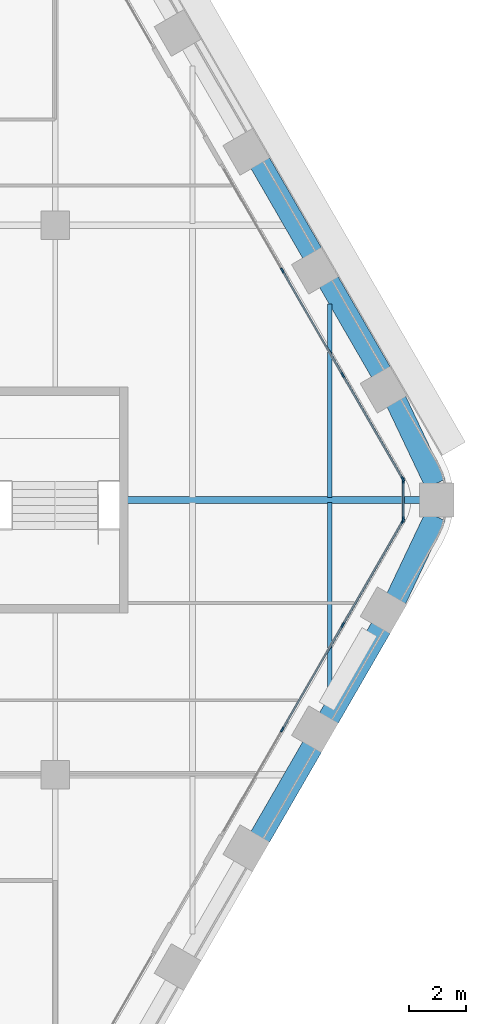
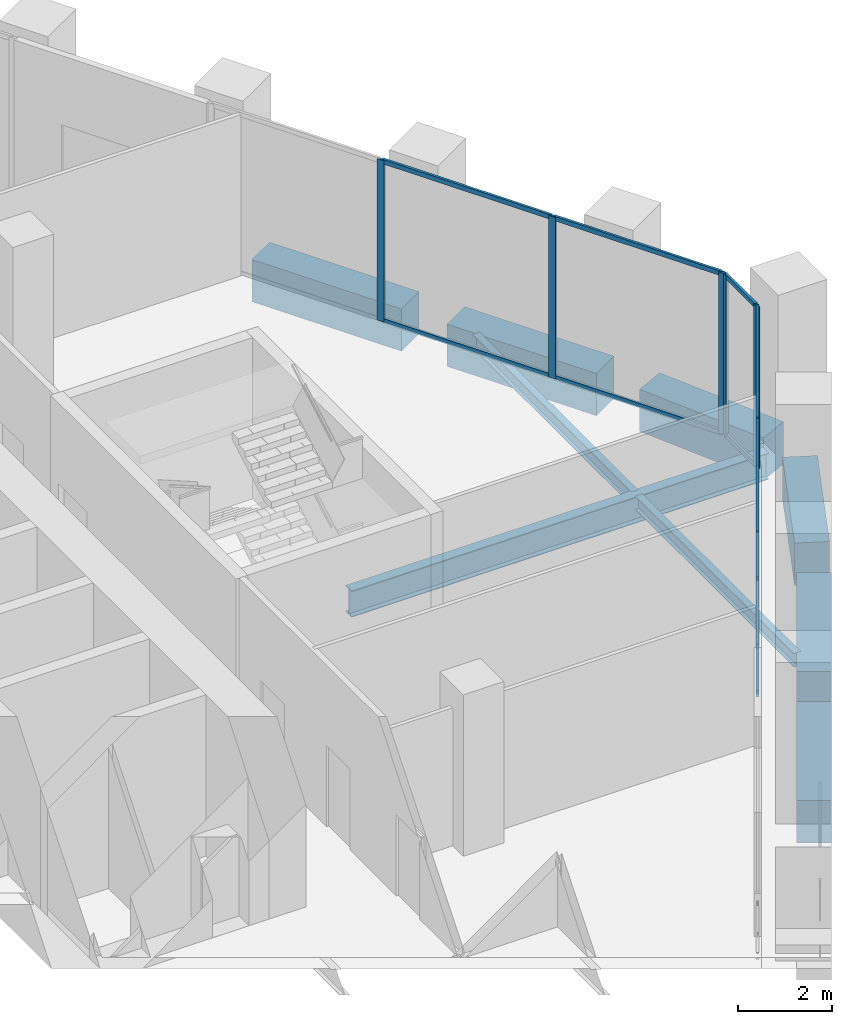
# One storey, part 11 of 27: 18 members, 9 beams, 3 elements without a shape of their own.
"""IFC4 building model written with IfcOpenShell, lengths in metres."""

from ifc_helpers import new_model, si_unit, direction, frame, origin, origin_2d, place, context, subcontext, project, spatial, rectangle, i_section, extrude, material, material_profile, profile_set, type_object, element, aggregate, save


model = new_model("IFC4")

# Units and contexts
model_context = context("Model", 3, precision=1e-05, world=origin(), true_north=direction((0.0, 1.0)))
body_context = subcontext(model_context, "Body", "Model", "MODEL_VIEW")
ifc_project = project(units=[si_unit("LENGTHUNIT", "METRE"), si_unit("AREAUNIT", "SQUARE_METRE"), si_unit("VOLUMEUNIT", "CUBIC_METRE"), si_unit("PLANEANGLEUNIT", "RADIAN"), si_unit("MASSUNIT", "GRAM", prefix="KILO")], contexts=[model_context])

# Site, building, storey
site_placement = place(None, origin())
site = spatial("IfcSite", under=ifc_project, at=site_placement, CompositionType="ELEMENT")
building_placement = place(site_placement, origin())
building = spatial("IfcBuilding", under=site, at=building_placement, Name="Kolab Exchange Tower", CompositionType="ELEMENT")
storey_placement = place(building_placement, frame((0.0, 0.0, 122.89990234375)))
storey = spatial("IfcBuildingStorey", under=building, at=storey_placement, Name="L24", CompositionType="ELEMENT", Elevation=122.89990234375)

# Beams
ifc_material_1 = material(Name="Steel S355", Category="steel")
ifc_material_profile_1 = material_profile(ifc_material_1, i_section(OverallWidth=0.1708984375, OverallDepth=0.35498046875, WebThickness=0.007080078125, FlangeThickness=0.01171875, at=origin_2d()), Name="W360X51")
ifc_profile_set_1 = profile_set([ifc_material_profile_1], Name="Steel S355")
beam_type_1 = type_object("IfcBeamType", Name="FLOOR BEAM W360X51", PredefinedType="BEAM", material=ifc_profile_set_1)
for number, where, z_axis, x_axis, name in (
    (1, (28.800048828125, -6.853759765625, -0.37744140625), (0.0, 1.0, 0.0), (-1.0, 0.0, 0.0), "beam/L24/fr/050"),
    (2, (28.800048828125, 0.0869140625, -0.37744140625), (0.0, 1.0, 0.0), (-1.0, 0.0, 0.0), "beam/L24/fr/051"),
):
    element("IfcBeam", number, at=place(storey_placement, frame(where, z_axis=z_axis, x_axis=x_axis)), inside=storey, type_object=beam_type_1, Name=name, PredefinedType="BEAM", context=body_context, shape_type="SweptSolid", body=[
        extrude(i_section(OverallWidth=0.1708984375, OverallDepth=0.35498046875, WebThickness=0.007080078125, FlangeThickness=0.01171875, at=origin_2d()), origin(), (0.0, 0.0, 1.0), 6.766845703125),
    ])
ifc_material_profile_2 = material_profile(ifc_material_1, i_section(OverallWidth=0.25390625, OverallDepth=0.68408203125, WebThickness=0.012451171875, FlangeThickness=0.018798828125, at=origin_2d()), Name="W690X140")
ifc_profile_set_2 = profile_set([ifc_material_profile_2], Name="Steel S355")
beam_type_2 = type_object("IfcBeamType", Name="FLOOR GIRDER W690X140", PredefinedType="BEAM", material=ifc_profile_set_2)
beam_placement = place(storey_placement, frame((21.7099609375, 0.0, -0.5419921875), z_axis=(1.0, 0.0, 0.0), x_axis=(0.0, 1.0, 0.0)))
element("IfcBeam", 3, at=beam_placement, inside=storey, type_object=beam_type_2, Name="beam/L24/gd/019", PredefinedType="BEAM", context=body_context, shape_type="SweptSolid", body=[
    extrude(i_section(OverallWidth=0.25390625, OverallDepth=0.68408203125, WebThickness=0.012451171875, FlangeThickness=0.018798828125, at=origin_2d()), origin(), (0.0, 0.0, 1.0), 10.265869140625),
])
ifc_material_2 = material(Name="Concrete C70/85", Category="concrete")
ifc_material_profile_3 = material_profile(ifc_material_2, rectangle(XDim=0.75, YDim=1.10009765625, at=origin_2d()), Name="RC750X1100")
ifc_profile_set_3 = profile_set([ifc_material_profile_3], Name="Concrete C70/85")
beam_type_3 = type_object("IfcBeamType", Name="SPANDREL BEAM 750X1100 C70/85", PredefinedType="BEAM", material=ifc_profile_set_3)
for number, where, z_axis, x_axis, name in (
    (4, (26.355224609375, 11.79833984375, -0.75), (0.500013413428, -0.866017659399, 0.0), (0.866017659399, 0.500013413428, 0.0), "beam/L24/sp/F2-05"),
    (5, (28.755126953125, 7.641357421875, -0.75), (0.500013413428, -0.866017659399, 0.0), (0.866017659399, 0.500013413428, 0.0), "beam/L24/sp/F2-06"),
):
    element("IfcBeam", number, at=place(storey_placement, frame(where, z_axis=z_axis, x_axis=x_axis)), inside=storey, type_object=beam_type_3, Name=name, PredefinedType="BEAM", context=body_context, shape_type="SweptSolid", body=[
        extrude(rectangle(XDim=0.75, YDim=1.10009765625, at=origin_2d()), origin(), (0.0, 0.0, 1.0), 3.68017578125),
    ])
for number, where, z_axis, x_axis, name in (
    (6, (31.116455078125, 3.4619140625, -0.75), (0.429041292193, -0.903284877319, 0.0), (0.903284877319, 0.429041292193, 0.0), "beam/L24/sp/F2-07"),
    (7, (32.492919921875, -0.56396484375, -0.75), (-0.429041292193, -0.903284877319, 0.0), (0.903284877319, -0.429041292193, 0.0), "beam/L24/sp/F3-01"),
):
    element("IfcBeam", number, at=place(storey_placement, frame(where, z_axis=z_axis, x_axis=x_axis)), inside=storey, type_object=beam_type_3, Name=name, PredefinedType="BEAM", context=body_context, shape_type="SweptSolid", body=[
        extrude(rectangle(XDim=0.75, YDim=1.10009765625, at=origin_2d()), origin(), (0.0, 0.0, 1.0), 3.208251953125),
    ])
for number, where, z_axis, x_axis, name in (
    (8, (30.59521484375, -4.454345703125, -0.75), (-0.500013413428, -0.866017659399, 0.0), (0.866017659399, -0.500013413428, 0.0), "beam/L24/sp/F3-02"),
    (9, (28.1953125, -8.611328125, -0.75), (-0.500013413428, -0.866017659399, 0.0), (0.866017659399, -0.500013413428, 0.0), "beam/L24/sp/F3-03"),
):
    element("IfcBeam", number, at=place(storey_placement, frame(where, z_axis=z_axis, x_axis=x_axis)), inside=storey, type_object=beam_type_3, Name=name, PredefinedType="BEAM", context=body_context, shape_type="SweptSolid", body=[
        extrude(rectangle(XDim=0.75, YDim=1.10009765625, at=origin_2d()), origin(), (0.0, 0.0, 1.0), 3.68017578125),
    ])

# Curtain wall, members
ifc_material_3 = material(Name="Aluminium EN AW-6063 T6", Category="aluminium")
curtain_wall_type = type_object("IfcCurtainWallType", Name="UNITISED LOWER MID ZONE CURTAIN WALL", PredefinedType="NOTDEFINED", material=ifc_material_3)
curtain_wall_1_placement = place(storey_placement, origin())
curtain_wall_1 = element("IfcCurtainWall", 10, at=curtain_wall_1_placement, inside=storey, type_object=curtain_wall_type, Name="cw/L24/F2-2", PredefinedType="NOTDEFINED")
ifc_material_profile_4 = material_profile(ifc_material_3, rectangle(XDim=0.06005859375, YDim=0.179931640625, at=origin_2d()), Name="RECT 60X180")
ifc_profile_set_4 = profile_set([ifc_material_profile_4], Name="Aluminium EN AW-6063 T6")
member_type_1 = type_object("IfcMemberType", Name="UNITISED LOWER MID ZONE MULLION 60 X 180", PredefinedType="MULLION", material=ifc_profile_set_4)
member_1_placement = place(storey_placement, frame((27.14306640625, 8.02392578125, 0.0), z_axis=(0.0, 0.0, 1.0), x_axis=(0.866025427826, 0.499999958358, 0.0)))
member_1 = element("IfcMember", 11, at=member_1_placement, type_object=member_type_1, Name="CW2 mullion 2", PredefinedType="MULLION", context=body_context, shape_type="SweptSolid", body=[
    extrude(rectangle(XDim=0.06005859375, YDim=0.179931640625, at=origin_2d()), origin(), (0.0, 0.0, 1.0), 4.2001953125),
])
member_2_placement = place(storey_placement, frame((29.25439453125, 4.366943359375, 0.0), z_axis=(0.0, 0.0, 1.0), x_axis=(0.866025427826, 0.499999958358, 0.0)))
member_2 = element("IfcMember", 12, at=member_2_placement, type_object=member_type_1, Name="CW2 mullion 3", PredefinedType="MULLION", context=body_context, shape_type="SweptSolid", body=[
    extrude(rectangle(XDim=0.06005859375, YDim=0.179931640625, at=origin_2d()), origin(), (0.0, 0.0, 1.0), 4.2001953125),
])
member_3_placement = place(storey_placement, frame((31.3505859375, 0.736083984375, 0.0), z_axis=(0.0, 0.0, 1.0), x_axis=(0.866025427826, 0.499999958358, 0.0)))
member_3 = element("IfcMember", 13, at=member_3_placement, type_object=member_type_1, Name="CW2 mullion 4", PredefinedType="MULLION", context=body_context, shape_type="SweptSolid", body=[
    extrude(rectangle(XDim=0.06005859375, YDim=0.179931640625, at=origin_2d()), origin(), (0.0, 0.0, 1.0), 4.2001953125),
])

curtain_wall_2_placement = place(storey_placement, origin())
curtain_wall_2 = element("IfcCurtainWall", 14, at=curtain_wall_2_placement, inside=storey, type_object=curtain_wall_type, Name="cw/L24/F3-1", PredefinedType="NOTDEFINED")
member_4_placement = place(storey_placement, frame((31.3505859375, -0.736083984375, 0.0), z_axis=(0.0, 0.0, 1.0), x_axis=(0.866025427826, -0.499999958358, 0.0)))
member_4 = element("IfcMember", 15, at=member_4_placement, type_object=member_type_1, Name="CW2 mullion 1", PredefinedType="MULLION", context=body_context, shape_type="SweptSolid", body=[
    extrude(rectangle(XDim=0.06005859375, YDim=0.179931640625, at=origin_2d()), origin(), (0.0, 0.0, 1.0), 4.2001953125),
])
member_5_placement = place(storey_placement, frame((29.25439453125, -4.366943359375, 0.0), z_axis=(0.0, 0.0, 1.0), x_axis=(0.866025427826, -0.499999958358, 0.0)))
member_5 = element("IfcMember", 16, at=member_5_placement, type_object=member_type_1, Name="CW2 mullion 2", PredefinedType="MULLION", context=body_context, shape_type="SweptSolid", body=[
    extrude(rectangle(XDim=0.06005859375, YDim=0.179931640625, at=origin_2d()), origin(), (0.0, 0.0, 1.0), 4.2001953125),
])
member_6_placement = place(storey_placement, frame((27.14306640625, -8.02392578125, 0.0), z_axis=(0.0, 0.0, 1.0), x_axis=(0.866025427826, -0.499999958358, 0.0)))
member_6 = element("IfcMember", 17, at=member_6_placement, type_object=member_type_1, Name="CW2 mullion 3", PredefinedType="MULLION", context=body_context, shape_type="SweptSolid", body=[
    extrude(rectangle(XDim=0.06005859375, YDim=0.179931640625, at=origin_2d()), origin(), (0.0, 0.0, 1.0), 4.2001953125),
])

curtain_wall_3_placement = place(storey_placement, origin())
curtain_wall_3 = element("IfcCurtainWall", 18, at=curtain_wall_3_placement, inside=storey, type_object=curtain_wall_type, Name="cw/L24/F2F3-corner", PredefinedType="NOTDEFINED")
member_7_placement = place(storey_placement, frame((31.36572265625, 0.679931640625, 0.0), z_axis=(0.0, 0.0, 1.0), x_axis=(1.0, 0.0, 0.0)))
member_7 = element("IfcMember", 19, at=member_7_placement, type_object=member_type_1, Name="CW2 mullion 1", PredefinedType="MULLION", context=body_context, shape_type="SweptSolid", body=[
    extrude(rectangle(XDim=0.06005859375, YDim=0.179931640625, at=origin_2d()), origin(), (0.0, 0.0, 1.0), 4.2001953125),
])
member_8_placement = place(storey_placement, frame((31.36572265625, -0.679931640625, 0.0), z_axis=(0.0, 0.0, 1.0), x_axis=(1.0, 0.0, 0.0)))
member_8 = element("IfcMember", 20, at=member_8_placement, type_object=member_type_1, Name="CW2 mullion 2", PredefinedType="MULLION", context=body_context, shape_type="SweptSolid", body=[
    extrude(rectangle(XDim=0.06005859375, YDim=0.179931640625, at=origin_2d()), origin(), (0.0, 0.0, 1.0), 4.2001953125),
])

# Member
ifc_material_profile_5 = material_profile(ifc_material_3, rectangle(XDim=0.06005859375, YDim=0.1201171875, at=origin_2d()), Name="RECT 60X120")
ifc_profile_set_5 = profile_set([ifc_material_profile_5], Name="Aluminium EN AW-6063 T6")
member_type_2 = type_object("IfcMemberType", Name="UNITISED LOWER MID ZONE TRANSOM 60 X 120", PredefinedType="USERDEFINED", material=ifc_profile_set_5)
member_9_placement = place(storey_placement, frame((27.157958984375, 7.997802734375, 0.030029296875), z_axis=(0.49999322259, -0.866029316688, 0.0), x_axis=(0.866029316688, 0.49999322259, 0.0)))
member_9 = element("IfcMember", 21, at=member_9_placement, type_object=member_type_2, Name="CW2 transom 2.1", ObjectType="TRANSOM", PredefinedType="USERDEFINED", context=body_context, shape_type="SweptSolid", body=[
    extrude(rectangle(XDim=0.06005859375, YDim=0.1201171875, at=origin_2d()), origin(), (0.0, 0.0, 1.0), 4.16259765625),
])

member_10_placement = place(storey_placement, frame((27.157958984375, 7.997802734375, 4.170166015625), z_axis=(0.49999322259, -0.866029316688, 0.0), x_axis=(0.866029316688, 0.49999322259, 0.0)))
member_10 = element("IfcMember", 22, at=member_10_placement, type_object=member_type_2, Name="CW2 transom 2.2", ObjectType="TRANSOM", PredefinedType="USERDEFINED", context=body_context, shape_type="SweptSolid", body=[
    extrude(rectangle(XDim=0.06005859375, YDim=0.1201171875, at=origin_2d()), origin(), (0.0, 0.0, 1.0), 4.16259765625),
])

member_11_placement = place(storey_placement, frame((29.269287109375, 4.3408203125, 0.030029296875), z_axis=(0.500027577057, -0.866009481578, 0.0), x_axis=(0.866009481578, 0.500027577057, 0.0)))
member_11 = element("IfcMember", 23, at=member_11_placement, type_object=member_type_2, Name="CW2 transom 3.1", ObjectType="TRANSOM", PredefinedType="USERDEFINED", context=body_context, shape_type="SweptSolid", body=[
    extrude(rectangle(XDim=0.06005859375, YDim=0.1201171875, at=origin_2d()), origin(), (0.0, 0.0, 1.0), 4.132568359375),
])

member_12_placement = place(storey_placement, frame((29.269287109375, 4.3408203125, 4.170166015625), z_axis=(0.500027577057, -0.866009481578, 0.0), x_axis=(0.866009481578, 0.500027577057, 0.0)))
member_12 = element("IfcMember", 24, at=member_12_placement, type_object=member_type_2, Name="CW2 transom 3.2", ObjectType="TRANSOM", PredefinedType="USERDEFINED", context=body_context, shape_type="SweptSolid", body=[
    extrude(rectangle(XDim=0.06005859375, YDim=0.1201171875, at=origin_2d()), origin(), (0.0, 0.0, 1.0), 4.132568359375),
])

aggregate(curtain_wall_1, [member_1, member_2, member_3, member_9, member_10, member_11, member_12])

member_13_placement = place(storey_placement, frame((31.335693359375, -0.761962890625, 0.030029296875), z_axis=(-0.500027577057, -0.866009481578, 0.0), x_axis=(0.866009481578, -0.500027577057, 0.0)))
member_13 = element("IfcMember", 25, at=member_13_placement, type_object=member_type_2, Name="CW2 transom 1.1", ObjectType="TRANSOM", PredefinedType="USERDEFINED", context=body_context, shape_type="SweptSolid", body=[
    extrude(rectangle(XDim=0.06005859375, YDim=0.1201171875, at=origin_2d()), origin(), (0.0, 0.0, 1.0), 4.132568359375),
])

member_14_placement = place(storey_placement, frame((31.335693359375, -0.761962890625, 4.170166015625), z_axis=(-0.500027577057, -0.866009481578, 0.0), x_axis=(0.866009481578, -0.500027577057, 0.0)))
member_14 = element("IfcMember", 26, at=member_14_placement, type_object=member_type_2, Name="CW2 transom 1.2", ObjectType="TRANSOM", PredefinedType="USERDEFINED", context=body_context, shape_type="SweptSolid", body=[
    extrude(rectangle(XDim=0.06005859375, YDim=0.1201171875, at=origin_2d()), origin(), (0.0, 0.0, 1.0), 4.132568359375),
])

member_15_placement = place(storey_placement, frame((29.2392578125, -4.392822265625, 0.030029296875), z_axis=(-0.49999322259, -0.866029316688, 0.0), x_axis=(0.866029316688, -0.49999322259, 0.0)))
member_15 = element("IfcMember", 27, at=member_15_placement, type_object=member_type_2, Name="CW2 transom 2.1", ObjectType="TRANSOM", PredefinedType="USERDEFINED", context=body_context, shape_type="SweptSolid", body=[
    extrude(rectangle(XDim=0.06005859375, YDim=0.1201171875, at=origin_2d()), origin(), (0.0, 0.0, 1.0), 4.16259765625),
])

member_16_placement = place(storey_placement, frame((29.2392578125, -4.392822265625, 4.170166015625), z_axis=(-0.49999322259, -0.866029316688, 0.0), x_axis=(0.866029316688, -0.49999322259, 0.0)))
member_16 = element("IfcMember", 28, at=member_16_placement, type_object=member_type_2, Name="CW2 transom 2.2", ObjectType="TRANSOM", PredefinedType="USERDEFINED", context=body_context, shape_type="SweptSolid", body=[
    extrude(rectangle(XDim=0.06005859375, YDim=0.1201171875, at=origin_2d()), origin(), (0.0, 0.0, 1.0), 4.16259765625),
])

aggregate(curtain_wall_2, [member_4, member_5, member_6, member_13, member_14, member_15, member_16])

member_17_placement = place(storey_placement, frame((31.36572265625, 0.64990234375, 0.030029296875), z_axis=(0.0, -1.0, 0.0), x_axis=(1.0, 0.0, 0.0)))
member_17 = element("IfcMember", 29, at=member_17_placement, type_object=member_type_2, Name="CW2 transom 1.1", ObjectType="TRANSOM", PredefinedType="USERDEFINED", context=body_context, shape_type="SweptSolid", body=[
    extrude(rectangle(XDim=0.06005859375, YDim=0.1201171875, at=origin_2d()), origin(), (0.0, 0.0, 1.0), 1.2998046875),
])

member_18_placement = place(storey_placement, frame((31.36572265625, 0.64990234375, 4.170166015625), z_axis=(0.0, -1.0, 0.0), x_axis=(1.0, 0.0, 0.0)))
member_18 = element("IfcMember", 30, at=member_18_placement, type_object=member_type_2, Name="CW2 transom 1.2", ObjectType="TRANSOM", PredefinedType="USERDEFINED", context=body_context, shape_type="SweptSolid", body=[
    extrude(rectangle(XDim=0.06005859375, YDim=0.1201171875, at=origin_2d()), origin(), (0.0, 0.0, 1.0), 1.2998046875),
])

aggregate(curtain_wall_3, [member_7, member_8, member_17, member_18])

save(model, "model.ifc")
